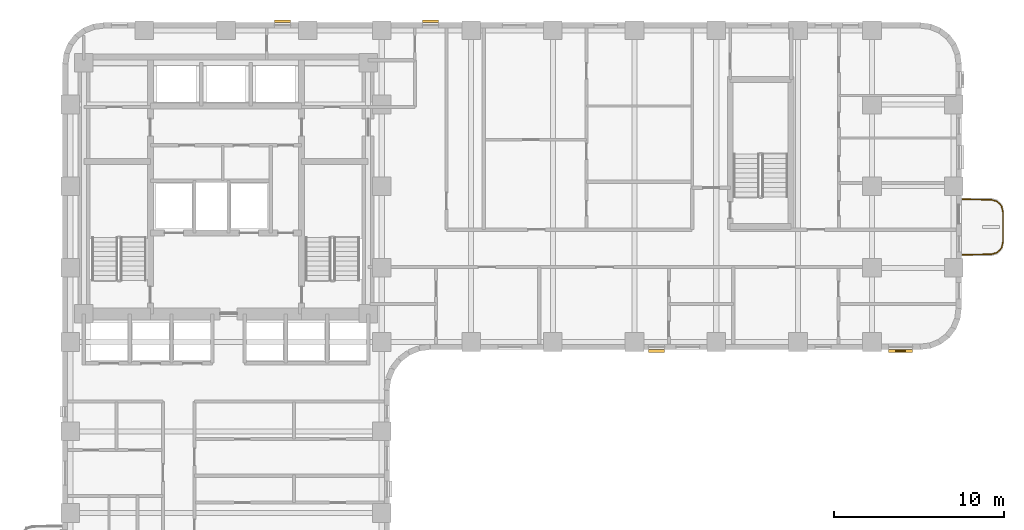
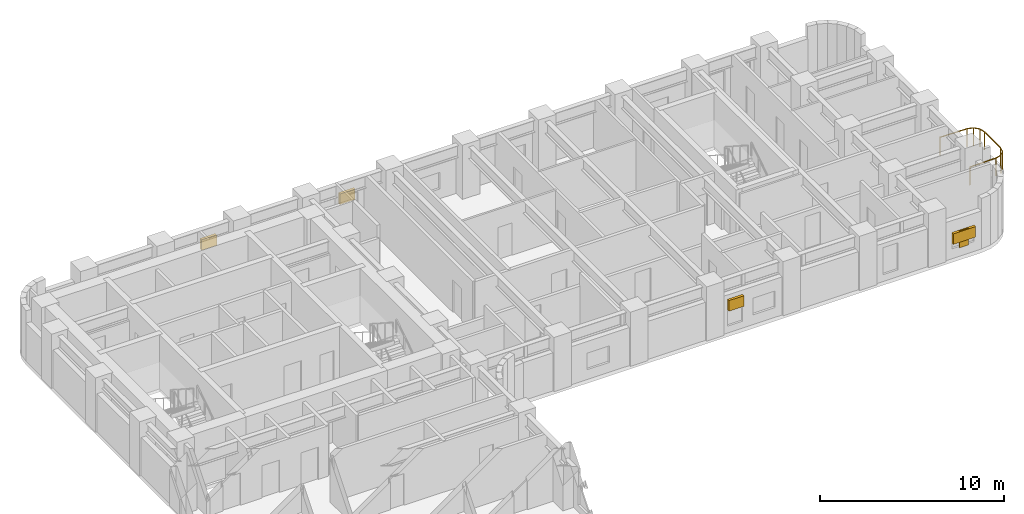
# One storey, part 10 of 12: 5 shading devices, 1 railing.
"""IFC4 building model written with IfcOpenShell, lengths in metres."""

from ifc_helpers import new_model, si_unit, direction, frame, origin, origin_2d, place, context, subcontext, project, spatial, rectangle, extrude, material, type_object, element, save


model = new_model("IFC4")

# Units and contexts
model_context = context("Model", 3, precision=1e-05, world=origin(), true_north=direction((0.0, 1.0)))
body_context = subcontext(model_context, "Body", "Model", "MODEL_VIEW")
ifc_project = project(units=[si_unit("LENGTHUNIT", "METRE"), si_unit("AREAUNIT", "SQUARE_METRE"), si_unit("VOLUMEUNIT", "CUBIC_METRE"), si_unit("PLANEANGLEUNIT", "RADIAN"), si_unit("MASSUNIT", "GRAM", prefix="KILO")], contexts=[model_context])

# Site, building, storey
site_placement = place(None, origin())
site = spatial("IfcSite", under=ifc_project, at=site_placement, CompositionType="ELEMENT")
building_placement = place(site_placement, origin())
building = spatial("IfcBuilding", under=site, at=building_placement, Name="Orvandelia Arch Residences", CompositionType="ELEMENT")
storey_placement = place(building_placement, frame((0.0, 0.0, 39.39990234375)))
storey = spatial("IfcBuildingStorey", under=building, at=storey_placement, Name="L09", CompositionType="ELEMENT", Elevation=39.39990234375)

# Railing
ifc_material_1 = material(Name="Marine-Grade Stainless Steel 316", Category="steel")
railing_type = type_object("IfcRailingType", Name="GRD-BAL-1200", PredefinedType="BALUSTRADE", material=ifc_material_1)
railing_placement = place(storey_placement, frame((57.671875, 34.36962890625, 0.0)))
element("IfcRailing", 1, at=railing_placement, inside=storey, type_object=railing_type, Name="Safety Balustrade Guard GRD-L09-BAL-L09-E1-1", PredefinedType="BALUSTRADE", context=body_context, shape_type="SweptSolid", body=[
    extrude(rectangle(XDim=0.048095703125, YDim=0.048095703125, at=origin_2d()), frame((0.0, 0.0, 1.19580078125), z_axis=(0.999837384468, 0.018033430643, 0.0), x_axis=(-0.018033430643, 0.999837384468, 0.0)), (0.0, 0.0, 1.0), 1.6787109375),
    extrude(rectangle(XDim=0.048095703125, YDim=0.048095703125, at=origin_2d()), frame((1.678466796875, 0.0302734375, 1.19580078125), z_axis=(0.963441293861, 0.267919527627, 0.0), x_axis=(-0.267919527627, 0.963441293861, 0.0)), (0.0, 0.0, 1.0), 0.365478515625),
    extrude(rectangle(XDim=0.048095703125, YDim=0.048095703125, at=origin_2d()), frame((2.030517578125, 0.128173828125, 1.19580078125), z_axis=(0.688296224633, 0.725429739642, 0.0), x_axis=(-0.725429739642, 0.688296224633, 0.0)), (0.0, 0.0, 1.0), 0.3681640625),
    extrude(rectangle(XDim=0.048095703125, YDim=0.048095703125, at=origin_2d()), frame((2.283935546875, 0.395263671875, 1.19580078125), z_axis=(0.221225034864, 0.975222786828, 0.0), x_axis=(-0.975222786828, 0.221225034864, 0.0)), (0.0, 0.0, 1.0), 0.373046875),
    extrude(rectangle(XDim=0.048095703125, YDim=0.048095703125, at=origin_2d()), frame((2.366455078125, 0.759033203125, 1.19580078125), z_axis=(0.0, 1.0, 0.0), x_axis=(-1.0, 0.0, 0.0)), (0.0, 0.0, 1.0), 1.74267578125),
    extrude(rectangle(XDim=0.048095703125, YDim=0.048095703125, at=origin_2d()), frame((2.366455078125, 2.501708984375, 1.19580078125), z_axis=(-0.221225034864, 0.975222786828, 0.0), x_axis=(-0.975222786828, -0.221225034864, 0.0)), (0.0, 0.0, 1.0), 0.373046875),
    extrude(rectangle(XDim=0.048095703125, YDim=0.048095703125, at=origin_2d()), frame((2.283935546875, 2.865478515625, 1.19580078125), z_axis=(-0.688296224633, 0.725429739642, 0.0), x_axis=(-0.725429739642, -0.688296224633, 0.0)), (0.0, 0.0, 1.0), 0.3681640625),
    extrude(rectangle(XDim=0.048095703125, YDim=0.048095703125, at=origin_2d()), frame((2.030517578125, 3.132568359375, 1.19580078125), z_axis=(-0.963441293861, 0.267919527627, 0.0), x_axis=(-0.267919527627, -0.963441293861, 0.0)), (0.0, 0.0, 1.0), 0.365478515625),
    extrude(rectangle(XDim=0.048095703125, YDim=0.048095703125, at=origin_2d()), frame((1.678466796875, 3.23046875, 1.19580078125), z_axis=(-0.999837384468, 0.018033430643, 0.0), x_axis=(-0.018033430643, -0.999837384468, 0.0)), (0.0, 0.0, 1.0), 1.6787109375),
    extrude(rectangle(XDim=0.0419921875, YDim=0.0419921875, at=origin_2d()), origin(), (0.0, 0.0, 1.0), 1.171875),
    extrude(rectangle(XDim=0.0419921875, YDim=0.0419921875, at=origin_2d()), frame((1.678466796875, 0.0302734375, 0.0)), (0.0, 0.0, 1.0), 1.171875),
    extrude(rectangle(XDim=0.0419921875, YDim=0.0419921875, at=origin_2d()), frame((2.030517578125, 0.128173828125, 0.0)), (0.0, 0.0, 1.0), 1.171875),
    extrude(rectangle(XDim=0.0419921875, YDim=0.0419921875, at=origin_2d()), frame((2.283935546875, 0.395263671875, 0.0)), (0.0, 0.0, 1.0), 1.171875),
    extrude(rectangle(XDim=0.0419921875, YDim=0.0419921875, at=origin_2d()), frame((2.366455078125, 0.759033203125, 0.0)), (0.0, 0.0, 1.0), 1.171875),
    extrude(rectangle(XDim=0.0419921875, YDim=0.0419921875, at=origin_2d()), frame((2.366455078125, 2.501708984375, 0.0)), (0.0, 0.0, 1.0), 1.171875),
    extrude(rectangle(XDim=0.0419921875, YDim=0.0419921875, at=origin_2d()), frame((2.283935546875, 2.865478515625, 0.0)), (0.0, 0.0, 1.0), 1.171875),
    extrude(rectangle(XDim=0.0419921875, YDim=0.0419921875, at=origin_2d()), frame((2.030517578125, 3.132568359375, 0.0)), (0.0, 0.0, 1.0), 1.171875),
    extrude(rectangle(XDim=0.0419921875, YDim=0.0419921875, at=origin_2d()), frame((1.678466796875, 3.23046875, 0.0)), (0.0, 0.0, 1.0), 1.171875),
    extrude(rectangle(XDim=0.0419921875, YDim=0.0419921875, at=origin_2d()), frame((0.0, 3.2607421875, 0.0)), (0.0, 0.0, 1.0), 1.171875),
])

# Shading devices
ifc_material_2 = material(Name="Anodised Champagne-Bronze Extruded Aluminium", Category="aluminium")
shading_device_type_1 = type_object("IfcShadingDeviceType", Name="SHD-JALOUSIE-SCREEN", PredefinedType="JALOUSIE", material=ifc_material_2)
for number, where, z_axis, x_axis, name in (
    (2, (26.4150390625, 48.080078125, 1.55029296875), (0.0, 0.0, 1.0), (1.0, 0.0, 0.0), "Bronze Jalousie Sun-Shade L09-001"),
    (3, (17.715087890625, 48.080078125, 1.55029296875), (0.0, 0.0, 1.0), (1.0, 0.0, 0.0), "Bronze Jalousie Sun-Shade L09-002"),
    (4, (39.69091796875, 28.719970703125, 1.55029296875), (0.0, 0.0, 1.0), (-1.0, 0.0, 0.0), "Bronze Jalousie Sun-Shade L09-005"),
):
    element("IfcShadingDevice", number, at=place(storey_placement, frame(where, z_axis=z_axis, x_axis=x_axis)), inside=storey, type_object=shading_device_type_1, Name=name, PredefinedType="JALOUSIE", context=body_context, shape_type="SweptSolid", body=[
        extrude(rectangle(XDim=0.949951171875, YDim=0.159912109375, at=origin_2d()), origin(), (0.0, 0.0, 1.0), 0.699951171875),
    ])
shading_device_1_placement = place(storey_placement, frame((54.030029296875, 28.719970703125, 1.05029296875), z_axis=(0.0, 0.0, 1.0), x_axis=(-1.0, 0.0, 0.0)))
element("IfcShadingDevice", 5, at=shading_device_1_placement, inside=storey, type_object=shading_device_type_1, Name="Bronze Jalousie Sun-Shade L09-006", PredefinedType="JALOUSIE", context=body_context, shape_type="SweptSolid", body=[
    extrude(rectangle(XDim=1.39990234375, YDim=0.159912109375, at=origin_2d()), origin(), (0.0, 0.0, 1.0), 0.699951171875),
])
ifc_material_3 = material(Name="Marine-Grade Perforated Aluminium Storm Shutter", Category="aluminium")
shading_device_type_2 = type_object("IfcShadingDeviceType", Name="SHD-STORM-SHUTTER", PredefinedType="SHUTTER", material=ifc_material_3)
shading_device_2_placement = place(storey_placement, frame((54.030029296875, 28.719970703125, 0.650146484375), z_axis=(0.0, 0.0, 1.0), x_axis=(-1.0, 0.0, 0.0)))
element("IfcShadingDevice", 6, at=shading_device_2_placement, inside=storey, type_object=shading_device_type_2, Name="Operable Typhoon Storm Shutter L09-006", PredefinedType="SHUTTER", context=body_context, shape_type="SweptSolid", body=[
    extrude(rectangle(XDim=0.550048828125, YDim=0.080078125, at=origin_2d()), origin(), (0.0, 0.0, 1.0), 1.10009765625),
])

save(model, "model.ifc")
